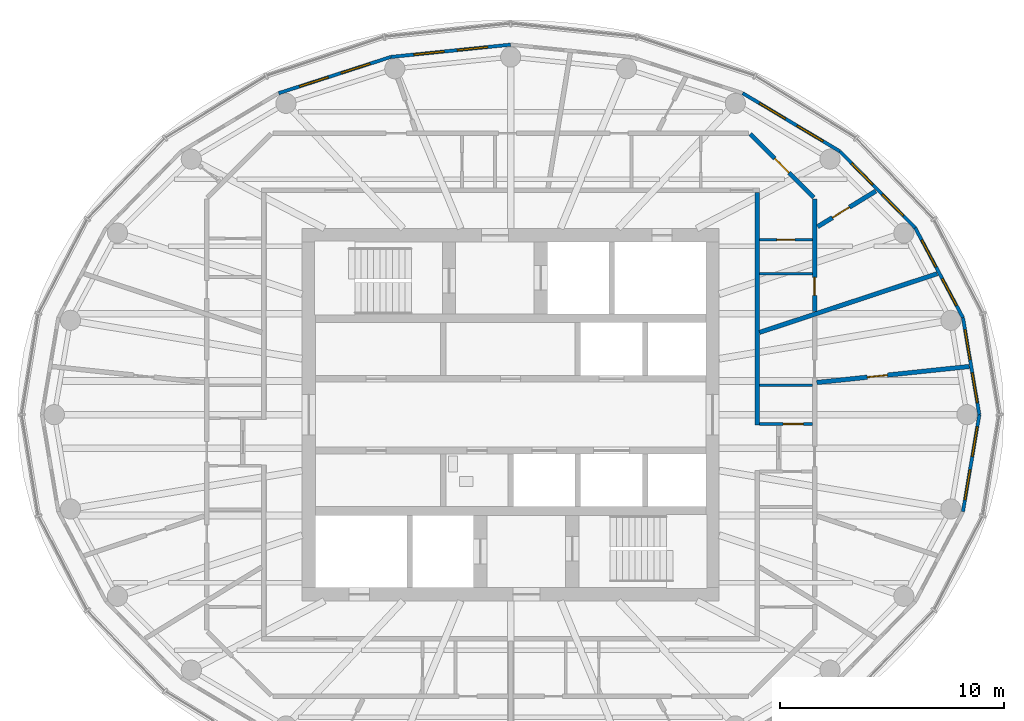
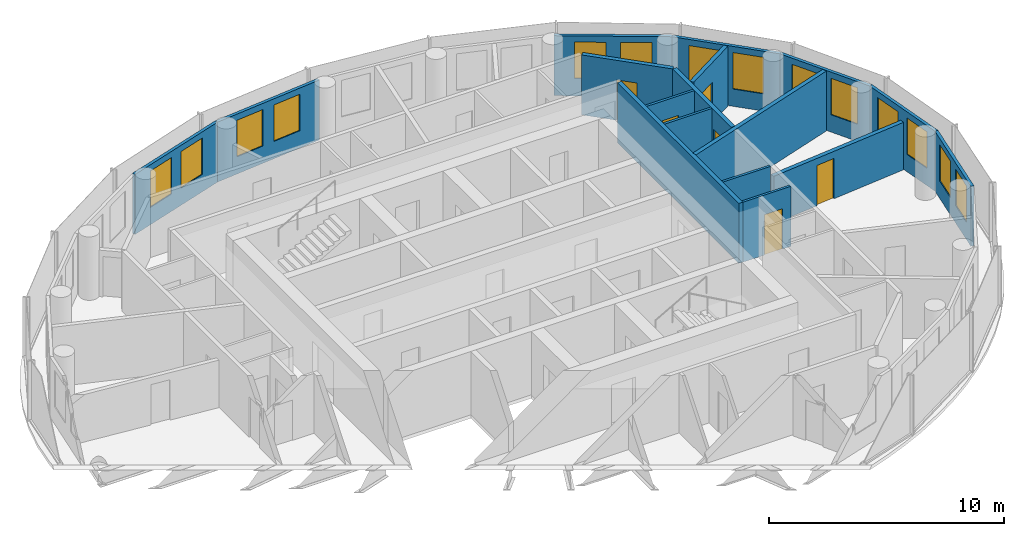
# One storey, part 9 of 12: 17 walls, 14 windows, 6 doors, 20 openings.
"""IFC4 building model written with IfcOpenShell, lengths in metres."""

from ifc_helpers import new_model, si_unit, direction, frame, frame_2d, origin, place, context, subcontext, project, spatial, rectangle, extrude, material, layer, layer_set, type_object, element, fill, save


model = new_model("IFC4")

# Units and contexts
model_context = context("Model", 3, precision=1e-05, world=origin(), true_north=direction((0.0, 1.0)))
body_context = subcontext(model_context, "Body", "Model", "MODEL_VIEW")
ifc_project = project(units=[si_unit("LENGTHUNIT", "METRE"), si_unit("AREAUNIT", "SQUARE_METRE"), si_unit("VOLUMEUNIT", "CUBIC_METRE"), si_unit("PLANEANGLEUNIT", "RADIAN"), si_unit("MASSUNIT", "GRAM", prefix="KILO")], contexts=[model_context])

# Site, building, storey
site_placement = place(None, origin())
site = spatial("IfcSite", under=ifc_project, at=site_placement, CompositionType="ELEMENT")
building_placement = place(site_placement, origin())
building = spatial("IfcBuilding", under=site, at=building_placement, Name="Hankou Lantern Tower", CompositionType="ELEMENT")
storey_placement = place(building_placement, frame((0.0, 0.0, 222.60009765625)))
storey = spatial("IfcBuildingStorey", under=building, at=storey_placement, Name="L60", CompositionType="ELEMENT", Elevation=222.60009765625)

# Wall, openings, windows
ifc_material_1 = material(Name="Aluminium spandrel panel on steel studs", Category="steel")
ifc_layer_1 = layer(ifc_material_1, 0.14990234375)
ifc_layer_set_1 = layer_set([ifc_layer_1], Name="Aluminium spandrel panel on steel studs")
wall_type_1 = type_object("IfcWallType", Name="EW1 INNER SKIN WALL 150", PredefinedType="ELEMENTEDWALL", material=ifc_layer_set_1)
wall_1_placement = place(storey_placement, frame((20.89990234375, 0.0, 0.0), z_axis=(0.0, 0.0, 1.0), x_axis=(-0.166538513568, 0.986034950445, 0.0)))
wall_1 = element("IfcWall", 1, at=wall_1_placement, inside=storey, type_object=wall_type_1, Name="Inner skin R01-R02 L60", PredefinedType="ELEMENTEDWALL", context=body_context, shape_type="SweptSolid", body=[
    extrude(rectangle(XDim=4.384765625, YDim=0.14990234375, at=frame_2d((2.1923828125, 0.0))), origin(), (0.0, 0.0, 1.0), 3.119873046875),
])
opening_1_placement = place(wall_1_placement, frame((0.54248046875, 0.0, 0.89990234375)))
opening_1 = element("IfcOpeningElement", 2, at=opening_1_placement, cuts=wall_1, Name="Opening W4", PredefinedType="OPENING", context=body_context, shape_type="SweptSolid", body=[
    extrude(rectangle(XDim=1.35009765625, YDim=1.89990234375, at=frame_2d((0.675048828125, 0.949951171875))), frame((0.0, 0.0849609375, 0.0), z_axis=(0.0, -1.0, 0.0), x_axis=(1.0, 0.0, 0.0)), (0.0, 0.0, 1.0), 0.169921875),
])
opening_2_placement = place(wall_1_placement, frame((2.492431640625, 0.0, 0.89990234375)))
opening_2 = element("IfcOpeningElement", 3, at=opening_2_placement, cuts=wall_1, Name="Opening W4", PredefinedType="OPENING", context=body_context, shape_type="SweptSolid", body=[
    extrude(rectangle(XDim=1.35009765625, YDim=1.89990234375, at=frame_2d((0.675048828125, 0.949951171875))), frame((0.0, 0.0849609375, 0.0), z_axis=(0.0, -1.0, 0.0), x_axis=(1.0, 0.0, 0.0)), (0.0, 0.0, 1.0), 0.169921875),
])
ifc_material_2 = material(Name="Aluminium framed double glazed window", Category="aluminium")
window_type = type_object("IfcWindowType", Name="W4 SUITE WINDOW 1350X1900", PartitioningType="DOUBLE_PANEL_VERTICAL", PredefinedType="WINDOW", material=ifc_material_2)
window_1_placement = place(opening_1_placement, origin())
window_1 = element("IfcWindow", 4, at=window_1_placement, inside=storey, type_object=window_type, Name="Window R01.1 L60", OverallHeight=1.89990234375, OverallWidth=1.35009765625, PartitioningType="SINGLE_PANEL", PredefinedType="WINDOW", context=body_context, shape_type="SweptSolid", body=[
    extrude(rectangle(XDim=1.35009765625, YDim=1.89990234375, at=frame_2d((0.675048828125, 0.949951171875))), frame((0.0, 0.030029296875, 0.0), z_axis=(0.0, -1.0, 0.0), x_axis=(1.0, 0.0, 0.0)), (0.0, 0.0, 1.0), 0.06005859375),
])
fill(opening_1, window_1)
window_2_placement = place(opening_2_placement, origin())
window_2 = element("IfcWindow", 5, at=window_2_placement, inside=storey, type_object=window_type, Name="Window R01.2 L60", OverallHeight=1.89990234375, OverallWidth=1.35009765625, PartitioningType="SINGLE_PANEL", PredefinedType="WINDOW", context=body_context, shape_type="SweptSolid", body=[
    extrude(rectangle(XDim=1.35009765625, YDim=1.89990234375, at=frame_2d((0.675048828125, 0.949951171875))), frame((0.0, 0.030029296875, 0.0), z_axis=(0.0, -1.0, 0.0), x_axis=(1.0, 0.0, 0.0)), (0.0, 0.0, 1.0), 0.06005859375),
])
fill(opening_2, window_2)

wall_2_placement = place(storey_placement, frame((20.169677734375, 4.323486328125, 0.0), z_axis=(0.0, 0.0, 1.0), x_axis=(-0.469256152955, 0.883062094597, 0.0)))
wall_2 = element("IfcWall", 6, at=wall_2_placement, inside=storey, type_object=wall_type_1, Name="Inner skin R02-R03 L60", PredefinedType="ELEMENTEDWALL", context=body_context, shape_type="SweptSolid", body=[
    extrude(rectangle(XDim=4.539306640625, YDim=0.14990234375, at=frame_2d((2.26953125, 0.0))), origin(), (0.0, 0.0, 1.0), 3.119873046875),
])
opening_3_placement = place(wall_2_placement, frame((0.61962890625, 0.0, 0.89990234375)))
opening_3 = element("IfcOpeningElement", 7, at=opening_3_placement, cuts=wall_2, Name="Opening W4", PredefinedType="OPENING", context=body_context, shape_type="SweptSolid", body=[
    extrude(rectangle(XDim=1.35009765625, YDim=1.89990234375, at=frame_2d((0.675048828125, 0.949951171875))), frame((0.0, 0.0849609375, 0.0), z_axis=(0.0, -1.0, 0.0), x_axis=(1.0, 0.0, 0.0)), (0.0, 0.0, 1.0), 0.169921875),
])
opening_4_placement = place(wall_2_placement, frame((2.569580078125, 0.0, 0.89990234375)))
opening_4 = element("IfcOpeningElement", 8, at=opening_4_placement, cuts=wall_2, Name="Opening W4", PredefinedType="OPENING", context=body_context, shape_type="SweptSolid", body=[
    extrude(rectangle(XDim=1.35009765625, YDim=1.89990234375, at=frame_2d((0.675048828125, 0.949951171875))), frame((0.0, 0.0849609375, 0.0), z_axis=(0.0, -1.0, 0.0), x_axis=(1.0, 0.0, 0.0)), (0.0, 0.0, 1.0), 0.169921875),
])
window_3_placement = place(opening_3_placement, origin())
window_3 = element("IfcWindow", 9, at=window_3_placement, inside=storey, type_object=window_type, Name="Window R02.1 L60", OverallHeight=1.89990234375, OverallWidth=1.35009765625, PartitioningType="SINGLE_PANEL", PredefinedType="WINDOW", context=body_context, shape_type="SweptSolid", body=[
    extrude(rectangle(XDim=1.35009765625, YDim=1.89990234375, at=frame_2d((0.675048828125, 0.949951171875))), frame((0.0, 0.030029296875, 0.0), z_axis=(0.0, -1.0, 0.0), x_axis=(1.0, 0.0, 0.0)), (0.0, 0.0, 1.0), 0.06005859375),
])
fill(opening_3, window_3)
window_4_placement = place(opening_4_placement, origin())
window_4 = element("IfcWindow", 10, at=window_4_placement, inside=storey, type_object=window_type, Name="Window R02.2 L60", OverallHeight=1.89990234375, OverallWidth=1.35009765625, PartitioningType="SINGLE_PANEL", PredefinedType="WINDOW", context=body_context, shape_type="SweptSolid", body=[
    extrude(rectangle(XDim=1.35009765625, YDim=1.89990234375, at=frame_2d((0.675048828125, 0.949951171875))), frame((0.0, 0.030029296875, 0.0), z_axis=(0.0, -1.0, 0.0), x_axis=(1.0, 0.0, 0.0)), (0.0, 0.0, 1.0), 0.06005859375),
])
fill(opening_4, window_4)

wall_3_placement = place(storey_placement, frame((18.03955078125, 8.33203125, 0.0), z_axis=(0.0, 0.0, 1.0), x_axis=(-0.701527379618, 0.712642501993, 0.0)))
wall_3 = element("IfcWall", 11, at=wall_3_placement, inside=storey, type_object=wall_type_1, Name="Inner skin R03-R04 L60", PredefinedType="ELEMENTEDWALL", context=body_context, shape_type="SweptSolid", body=[
    extrude(rectangle(XDim=4.788330078125, YDim=0.14990234375, at=frame_2d((2.39404296875, 0.0))), origin(), (0.0, 0.0, 1.0), 3.119873046875),
])
opening_5_placement = place(wall_3_placement, frame((0.744140625, 0.0, 0.89990234375)))
opening_5 = element("IfcOpeningElement", 12, at=opening_5_placement, cuts=wall_3, Name="Opening W4", PredefinedType="OPENING", context=body_context, shape_type="SweptSolid", body=[
    extrude(rectangle(XDim=1.35009765625, YDim=1.89990234375, at=frame_2d((0.675048828125, 0.949951171875))), frame((0.0, 0.0849609375, 0.0), z_axis=(0.0, -1.0, 0.0), x_axis=(1.0, 0.0, 0.0)), (0.0, 0.0, 1.0), 0.169921875),
])
opening_6_placement = place(wall_3_placement, frame((2.694091796875, 0.0, 0.89990234375)))
opening_6 = element("IfcOpeningElement", 13, at=opening_6_placement, cuts=wall_3, Name="Opening W4", PredefinedType="OPENING", context=body_context, shape_type="SweptSolid", body=[
    extrude(rectangle(XDim=1.35009765625, YDim=1.89990234375, at=frame_2d((0.675048828125, 0.949951171875))), frame((0.0, 0.0849609375, 0.0), z_axis=(0.0, -1.0, 0.0), x_axis=(1.0, 0.0, 0.0)), (0.0, 0.0, 1.0), 0.169921875),
])
window_5_placement = place(opening_5_placement, origin())
window_5 = element("IfcWindow", 14, at=window_5_placement, inside=storey, type_object=window_type, Name="Window R03.1 L60", OverallHeight=1.89990234375, OverallWidth=1.35009765625, PartitioningType="SINGLE_PANEL", PredefinedType="WINDOW", context=body_context, shape_type="SweptSolid", body=[
    extrude(rectangle(XDim=1.35009765625, YDim=1.89990234375, at=frame_2d((0.675048828125, 0.949951171875))), frame((0.0, 0.030029296875, 0.0), z_axis=(0.0, -1.0, 0.0), x_axis=(1.0, 0.0, 0.0)), (0.0, 0.0, 1.0), 0.06005859375),
])
fill(opening_5, window_5)
window_6_placement = place(opening_6_placement, origin())
window_6 = element("IfcWindow", 15, at=window_6_placement, inside=storey, type_object=window_type, Name="Window R03.2 L60", OverallHeight=1.89990234375, OverallWidth=1.35009765625, PartitioningType="SINGLE_PANEL", PredefinedType="WINDOW", context=body_context, shape_type="SweptSolid", body=[
    extrude(rectangle(XDim=1.35009765625, YDim=1.89990234375, at=frame_2d((0.675048828125, 0.949951171875))), frame((0.0, 0.030029296875, 0.0), z_axis=(0.0, -1.0, 0.0), x_axis=(1.0, 0.0, 0.0)), (0.0, 0.0, 1.0), 0.06005859375),
])
fill(opening_6, window_6)

wall_4_placement = place(storey_placement, frame((14.680419921875, 11.744384765625, 0.0), z_axis=(0.0, 0.0, 1.0), x_axis=(-0.85822150553, 0.513279502265, 0.0)))
wall_4 = element("IfcWall", 16, at=wall_4_placement, inside=storey, type_object=wall_type_1, Name="Inner skin R04-R05 L60", PredefinedType="ELEMENTEDWALL", context=body_context, shape_type="SweptSolid", body=[
    extrude(rectangle(XDim=5.050048828125, YDim=0.14990234375, at=frame_2d((2.52490234375, 0.0))), origin(), (0.0, 0.0, 1.0), 3.119873046875),
])
opening_7_placement = place(wall_4_placement, frame((0.875, 0.0, 0.89990234375)))
opening_7 = element("IfcOpeningElement", 17, at=opening_7_placement, cuts=wall_4, Name="Opening W4", PredefinedType="OPENING", context=body_context, shape_type="SweptSolid", body=[
    extrude(rectangle(XDim=1.35009765625, YDim=1.89990234375, at=frame_2d((0.675048828125, 0.949951171875))), frame((0.0, 0.0849609375, 0.0), z_axis=(0.0, -1.0, 0.0), x_axis=(1.0, 0.0, 0.0)), (0.0, 0.0, 1.0), 0.169921875),
])
opening_8_placement = place(wall_4_placement, frame((2.824951171875, 0.0, 0.89990234375)))
opening_8 = element("IfcOpeningElement", 18, at=opening_8_placement, cuts=wall_4, Name="Opening W4", PredefinedType="OPENING", context=body_context, shape_type="SweptSolid", body=[
    extrude(rectangle(XDim=1.35009765625, YDim=1.89990234375, at=frame_2d((0.675048828125, 0.949951171875))), frame((0.0, 0.0849609375, 0.0), z_axis=(0.0, -1.0, 0.0), x_axis=(1.0, 0.0, 0.0)), (0.0, 0.0, 1.0), 0.169921875),
])
window_7_placement = place(opening_7_placement, origin())
window_7 = element("IfcWindow", 19, at=window_7_placement, inside=storey, type_object=window_type, Name="Window R04.1 L60", OverallHeight=1.89990234375, OverallWidth=1.35009765625, PartitioningType="SINGLE_PANEL", PredefinedType="WINDOW", context=body_context, shape_type="SweptSolid", body=[
    extrude(rectangle(XDim=1.35009765625, YDim=1.89990234375, at=frame_2d((0.675048828125, 0.949951171875))), frame((0.0, 0.030029296875, 0.0), z_axis=(0.0, -1.0, 0.0), x_axis=(1.0, 0.0, 0.0)), (0.0, 0.0, 1.0), 0.06005859375),
])
fill(opening_7, window_7)
window_8_placement = place(opening_8_placement, origin())
window_8 = element("IfcWindow", 20, at=window_8_placement, inside=storey, type_object=window_type, Name="Window R04.2 L60", OverallHeight=1.89990234375, OverallWidth=1.35009765625, PartitioningType="SINGLE_PANEL", PredefinedType="WINDOW", context=body_context, shape_type="SweptSolid", body=[
    extrude(rectangle(XDim=1.35009765625, YDim=1.89990234375, at=frame_2d((0.675048828125, 0.949951171875))), frame((0.0, 0.030029296875, 0.0), z_axis=(0.0, -1.0, 0.0), x_axis=(1.0, 0.0, 0.0)), (0.0, 0.0, 1.0), 0.06005859375),
])
fill(opening_8, window_8)

wall_5_placement = place(storey_placement, frame((0.0, 16.5, 0.0), z_axis=(0.0, 0.0, 1.0), x_axis=(-0.994774574972, -0.102095763818, 0.0)))
wall_5 = element("IfcWall", 21, at=wall_5_placement, inside=storey, type_object=wall_type_1, Name="Inner skin R07-R08 L60", PredefinedType="ELEMENTEDWALL", context=body_context, shape_type="SweptSolid", body=[
    extrude(rectangle(XDim=5.370849609375, YDim=0.14990234375, at=frame_2d((2.685546875, 0.0))), origin(), (0.0, 0.0, 1.0), 3.119873046875),
])
opening_9_placement = place(wall_5_placement, frame((1.035400390625, 0.0, 0.89990234375)))
opening_9 = element("IfcOpeningElement", 22, at=opening_9_placement, cuts=wall_5, Name="Opening W4", PredefinedType="OPENING", context=body_context, shape_type="SweptSolid", body=[
    extrude(rectangle(XDim=1.35009765625, YDim=1.89990234375, at=frame_2d((0.675048828125, 0.949951171875))), frame((0.0, 0.0849609375, 0.0), z_axis=(0.0, -1.0, 0.0), x_axis=(1.0, 0.0, 0.0)), (0.0, 0.0, 1.0), 0.169921875),
])
opening_10_placement = place(wall_5_placement, frame((2.9853515625, 0.0, 0.89990234375)))
opening_10 = element("IfcOpeningElement", 23, at=opening_10_placement, cuts=wall_5, Name="Opening W4", PredefinedType="OPENING", context=body_context, shape_type="SweptSolid", body=[
    extrude(rectangle(XDim=1.35009765625, YDim=1.89990234375, at=frame_2d((0.675048828125, 0.949951171875))), frame((0.0, 0.0849609375, 0.0), z_axis=(0.0, -1.0, 0.0), x_axis=(1.0, 0.0, 0.0)), (0.0, 0.0, 1.0), 0.169921875),
])
window_9_placement = place(opening_9_placement, origin())
window_9 = element("IfcWindow", 24, at=window_9_placement, inside=storey, type_object=window_type, Name="Window R07.1 L60", OverallHeight=1.89990234375, OverallWidth=1.35009765625, PartitioningType="SINGLE_PANEL", PredefinedType="WINDOW", context=body_context, shape_type="SweptSolid", body=[
    extrude(rectangle(XDim=1.35009765625, YDim=1.89990234375, at=frame_2d((0.675048828125, 0.949951171875))), frame((0.0, 0.030029296875, 0.0), z_axis=(0.0, -1.0, 0.0), x_axis=(1.0, 0.0, 0.0)), (0.0, 0.0, 1.0), 0.06005859375),
])
fill(opening_9, window_9)
window_10_placement = place(opening_10_placement, origin())
window_10 = element("IfcWindow", 25, at=window_10_placement, inside=storey, type_object=window_type, Name="Window R07.2 L60", OverallHeight=1.89990234375, OverallWidth=1.35009765625, PartitioningType="SINGLE_PANEL", PredefinedType="WINDOW", context=body_context, shape_type="SweptSolid", body=[
    extrude(rectangle(XDim=1.35009765625, YDim=1.89990234375, at=frame_2d((0.675048828125, 0.949951171875))), frame((0.0, 0.030029296875, 0.0), z_axis=(0.0, -1.0, 0.0), x_axis=(1.0, 0.0, 0.0)), (0.0, 0.0, 1.0), 0.06005859375),
])
fill(opening_10, window_10)

wall_6_placement = place(storey_placement, frame((-5.3427734375, 15.95166015625, 0.0), z_axis=(0.0, 0.0, 1.0), x_axis=(-0.951644702515, -0.307200846638, 0.0)))
wall_6 = element("IfcWall", 26, at=wall_6_placement, inside=storey, type_object=wall_type_1, Name="Inner skin R08-R09 L60", PredefinedType="ELEMENTEDWALL", context=body_context, shape_type="SweptSolid", body=[
    extrude(rectangle(XDim=5.2578125, YDim=0.14990234375, at=frame_2d((2.62890625, 0.0))), origin(), (0.0, 0.0, 1.0), 3.119873046875),
])
opening_11_placement = place(wall_6_placement, frame((0.97900390625, 0.0, 0.89990234375)))
opening_11 = element("IfcOpeningElement", 27, at=opening_11_placement, cuts=wall_6, Name="Opening W4", PredefinedType="OPENING", context=body_context, shape_type="SweptSolid", body=[
    extrude(rectangle(XDim=1.35009765625, YDim=1.89990234375, at=frame_2d((0.675048828125, 0.949951171875))), frame((0.0, 0.0849609375, 0.0), z_axis=(0.0, -1.0, 0.0), x_axis=(1.0, 0.0, 0.0)), (0.0, 0.0, 1.0), 0.169921875),
])
opening_12_placement = place(wall_6_placement, frame((2.928955078125, 0.0, 0.89990234375)))
opening_12 = element("IfcOpeningElement", 28, at=opening_12_placement, cuts=wall_6, Name="Opening W4", PredefinedType="OPENING", context=body_context, shape_type="SweptSolid", body=[
    extrude(rectangle(XDim=1.35009765625, YDim=1.89990234375, at=frame_2d((0.675048828125, 0.949951171875))), frame((0.0, 0.0849609375, 0.0), z_axis=(0.0, -1.0, 0.0), x_axis=(1.0, 0.0, 0.0)), (0.0, 0.0, 1.0), 0.169921875),
])
window_11_placement = place(opening_11_placement, origin())
window_11 = element("IfcWindow", 29, at=window_11_placement, inside=storey, type_object=window_type, Name="Window R08.1 L60", OverallHeight=1.89990234375, OverallWidth=1.35009765625, PartitioningType="SINGLE_PANEL", PredefinedType="WINDOW", context=body_context, shape_type="SweptSolid", body=[
    extrude(rectangle(XDim=1.35009765625, YDim=1.89990234375, at=frame_2d((0.675048828125, 0.949951171875))), frame((0.0, 0.030029296875, 0.0), z_axis=(0.0, -1.0, 0.0), x_axis=(1.0, 0.0, 0.0)), (0.0, 0.0, 1.0), 0.06005859375),
])
fill(opening_11, window_11)
window_12_placement = place(opening_12_placement, origin())
window_12 = element("IfcWindow", 30, at=window_12_placement, inside=storey, type_object=window_type, Name="Window R08.2 L60", OverallHeight=1.89990234375, OverallWidth=1.35009765625, PartitioningType="SINGLE_PANEL", PredefinedType="WINDOW", context=body_context, shape_type="SweptSolid", body=[
    extrude(rectangle(XDim=1.35009765625, YDim=1.89990234375, at=frame_2d((0.675048828125, 0.949951171875))), frame((0.0, 0.030029296875, 0.0), z_axis=(0.0, -1.0, 0.0), x_axis=(1.0, 0.0, 0.0)), (0.0, 0.0, 1.0), 0.06005859375),
])
fill(opening_12, window_12)

wall_7_placement = place(storey_placement, frame((20.169677734375, -4.323486328125, 0.0), z_axis=(0.0, 0.0, 1.0), x_axis=(0.166538513568, 0.986034950445, 0.0)))
wall_7 = element("IfcWall", 31, at=wall_7_placement, inside=storey, type_object=wall_type_1, Name="Inner skin R24-R01 L60", PredefinedType="ELEMENTEDWALL", context=body_context, shape_type="SweptSolid", body=[
    extrude(rectangle(XDim=4.384765625, YDim=0.14990234375, at=frame_2d((2.1923828125, 0.0))), origin(), (0.0, 0.0, 1.0), 3.119873046875),
])
opening_13_placement = place(wall_7_placement, frame((0.54248046875, 0.0, 0.89990234375)))
opening_13 = element("IfcOpeningElement", 32, at=opening_13_placement, cuts=wall_7, Name="Opening W4", PredefinedType="OPENING", context=body_context, shape_type="SweptSolid", body=[
    extrude(rectangle(XDim=1.35009765625, YDim=1.89990234375, at=frame_2d((0.675048828125, 0.949951171875))), frame((0.0, 0.0849609375, 0.0), z_axis=(0.0, -1.0, 0.0), x_axis=(1.0, 0.0, 0.0)), (0.0, 0.0, 1.0), 0.169921875),
])
opening_14_placement = place(wall_7_placement, frame((2.492431640625, 0.0, 0.89990234375)))
opening_14 = element("IfcOpeningElement", 33, at=opening_14_placement, cuts=wall_7, Name="Opening W4", PredefinedType="OPENING", context=body_context, shape_type="SweptSolid", body=[
    extrude(rectangle(XDim=1.35009765625, YDim=1.89990234375, at=frame_2d((0.675048828125, 0.949951171875))), frame((0.0, 0.0849609375, 0.0), z_axis=(0.0, -1.0, 0.0), x_axis=(1.0, 0.0, 0.0)), (0.0, 0.0, 1.0), 0.169921875),
])
window_13_placement = place(opening_13_placement, origin())
window_13 = element("IfcWindow", 34, at=window_13_placement, inside=storey, type_object=window_type, Name="Window R24.1 L60", OverallHeight=1.89990234375, OverallWidth=1.35009765625, PartitioningType="SINGLE_PANEL", PredefinedType="WINDOW", context=body_context, shape_type="SweptSolid", body=[
    extrude(rectangle(XDim=1.35009765625, YDim=1.89990234375, at=frame_2d((0.675048828125, 0.949951171875))), frame((0.0, 0.030029296875, 0.0), z_axis=(0.0, -1.0, 0.0), x_axis=(1.0, 0.0, 0.0)), (0.0, 0.0, 1.0), 0.06005859375),
])
fill(opening_13, window_13)
window_14_placement = place(opening_14_placement, origin())
window_14 = element("IfcWindow", 35, at=window_14_placement, inside=storey, type_object=window_type, Name="Window R24.2 L60", OverallHeight=1.89990234375, OverallWidth=1.35009765625, PartitioningType="SINGLE_PANEL", PredefinedType="WINDOW", context=body_context, shape_type="SweptSolid", body=[
    extrude(rectangle(XDim=1.35009765625, YDim=1.89990234375, at=frame_2d((0.675048828125, 0.949951171875))), frame((0.0, 0.030029296875, 0.0), z_axis=(0.0, -1.0, 0.0), x_axis=(1.0, 0.0, 0.0)), (0.0, 0.0, 1.0), 0.06005859375),
])
fill(opening_14, window_14)

# Walls
ifc_material_3 = material(Name="Masonry lightweight concrete block", Category="masonry")
ifc_layer_2 = layer(ifc_material_3, 0.199951171875)
ifc_layer_set_2 = layer_set([ifc_layer_2], Name="Masonry lightweight concrete block")
wall_type_2 = type_object("IfcWallType", Name="IW1 GUEST ROOM PARTY WALL 200", PredefinedType="PARTITIONING", material=ifc_layer_set_2)
wall_8_placement = place(storey_placement, frame((11.10009765625, 3.668701171875, 0.0), z_axis=(0.0, 0.0, 1.0), x_axis=(0.949476668397, 0.313837627079, 0.0)))
element("IfcWall", 36, at=wall_8_placement, inside=storey, type_object=wall_type_2, Name="Party wall R02-R03", PredefinedType="PARTITIONING", context=body_context, shape_type="SweptSolid", body=[
    extrude(rectangle(XDim=8.338623046875, YDim=0.199951171875, at=frame_2d((4.16943359375, 0.0))), origin(), (0.0, 0.0, 1.0), 3.119873046875),
])
ifc_material_4 = material(Name="Masonry lightweight concrete block", Category="masonry")
ifc_layer_3 = layer(ifc_material_4, 0.199951171875)
ifc_layer_set_3 = layer_set([ifc_layer_3], Name="Masonry lightweight concrete block")
wall_type_3 = type_object("IfcWallType", Name="IW2 CORRIDOR WALL 200", PredefinedType="PARTITIONING", material=ifc_layer_set_3)
wall_9_placement = place(storey_placement, frame((11.0, -0.46435546875, 0.0), z_axis=(0.0, 0.0, 1.0), x_axis=(0.0, 1.0, 0.0)))
element("IfcWall", 37, at=wall_9_placement, inside=storey, type_object=wall_type_3, Name="Corridor wall east", PredefinedType="PARTITIONING", context=body_context, shape_type="SweptSolid", body=[
    extrude(rectangle(XDim=10.3642578125, YDim=0.199951171875, at=frame_2d((5.18212890625, 0.0))), origin(), (0.0, 0.0, 1.0), 3.119873046875),
])
ifc_material_5 = material(Name="Masonry lightweight concrete block", Category="masonry")
ifc_layer_4 = layer(ifc_material_5, 0.1201171875)
ifc_layer_set_4 = layer_set([ifc_layer_4], Name="Masonry lightweight concrete block")
wall_type_4 = type_object("IfcWallType", Name="IW3 BATHROOM WALL 120", PredefinedType="PARTITIONING", material=ifc_layer_set_4)
wall_10_placement = place(storey_placement, frame((11.10009765625, 6.28369140625, 0.0), z_axis=(0.0, 0.0, 1.0), x_axis=(1.0, 0.0, 0.0)))
element("IfcWall", 38, at=wall_10_placement, inside=storey, type_object=wall_type_4, Name="Box wall 6001 1", PredefinedType="PARTITIONING", context=body_context, shape_type="SweptSolid", body=[
    extrude(rectangle(XDim=2.349853515625, YDim=0.1201171875, at=frame_2d((1.1748046875, 0.0))), origin(), (0.0, 0.0, 1.0), 3.119873046875),
])

# Wall, opening, door
wall_11_placement = place(storey_placement, frame((11.10009765625, 7.80517578125, 0.0), z_axis=(0.0, 0.0, 1.0), x_axis=(1.0, 0.0, 0.0)))
wall_11 = element("IfcWall", 39, at=wall_11_placement, inside=storey, type_object=wall_type_4, Name="Box wall 6001 2", PredefinedType="PARTITIONING", context=body_context, shape_type="SweptSolid", body=[
    extrude(rectangle(XDim=2.349853515625, YDim=0.1201171875, at=frame_2d((1.1748046875, 0.0))), origin(), (0.0, 0.0, 1.0), 3.119873046875),
])
opening_15_placement = place(wall_11_placement, frame((0.77001953125, 0.0, 0.0)))
opening_15 = element("IfcOpeningElement", 40, at=opening_15_placement, cuts=wall_11, Name="Opening D3", PredefinedType="OPENING", context=body_context, shape_type="SweptSolid", body=[
    extrude(rectangle(XDim=0.800048828125, YDim=2.10009765625, at=frame_2d((0.39990234375, 1.050048828125))), frame((0.0, 0.070068359375, 0.0), z_axis=(0.0, -1.0, 0.0), x_axis=(1.0, 0.0, 0.0)), (0.0, 0.0, 1.0), 0.14013671875),
])
ifc_material_6 = material(Name="Timber door leaf", Category="wood")
door_type_1 = type_object("IfcDoorType", Name="D3 BATHROOM DOOR 800X2100", OperationType="SINGLE_SWING_LEFT", PredefinedType="DOOR", material=ifc_material_6)
door_1_placement = place(opening_15_placement, origin())
door_1 = element("IfcDoor", 41, at=door_1_placement, inside=storey, type_object=door_type_1, Name="Family suite 6001 guest WC door", OperationType="SINGLE_SWING_LEFT", OverallHeight=2.10009765625, OverallWidth=0.800048828125, PredefinedType="DOOR", context=body_context, shape_type="SweptSolid", body=[
    extrude(rectangle(XDim=0.800048828125, YDim=2.10009765625, at=frame_2d((0.39990234375, 1.050048828125))), frame((0.0, 0.02490234375, 0.0), z_axis=(0.0, -1.0, 0.0), x_axis=(1.0, 0.0, 0.0)), (0.0, 0.0, 1.0), 0.050048828125),
])
fill(opening_15, door_1)

wall_12_placement = place(storey_placement, frame((11.10009765625, -0.414306640625, 0.0), z_axis=(0.0, 0.0, 1.0), x_axis=(1.0, 0.0, 0.0)))
wall_12 = element("IfcWall", 42, at=wall_12_placement, inside=storey, type_object=wall_type_4, Name="Box wall 6006 3", PredefinedType="PARTITIONING", context=body_context, shape_type="SweptSolid", body=[
    extrude(rectangle(XDim=2.349853515625, YDim=0.1201171875, at=frame_2d((1.1748046875, 0.0))), origin(), (0.0, 0.0, 1.0), 3.119873046875),
])
opening_16_placement = place(wall_12_placement, frame((1.050048828125, 0.0, 0.0)))
opening_16 = element("IfcOpeningElement", 43, at=opening_16_placement, cuts=wall_12, Name="Opening D27", PredefinedType="OPENING", context=body_context, shape_type="SweptSolid", body=[
    extrude(rectangle(XDim=0.89990234375, YDim=2.10009765625, at=frame_2d((0.449951171875, 1.050048828125))), frame((0.0, 0.070068359375, 0.0), z_axis=(0.0, -1.0, 0.0), x_axis=(1.0, 0.0, 0.0)), (0.0, 0.0, 1.0), 0.14013671875),
])
ifc_material_7 = material(Name="Timber door leaf", Category="wood")
door_type_2 = type_object("IfcDoorType", Name="D27 INTERNAL DOOR 900X2100", OperationType="SINGLE_SWING_LEFT", PredefinedType="DOOR", material=ifc_material_7)
door_2_placement = place(opening_16_placement, origin())
door_2 = element("IfcDoor", 44, at=door_2_placement, inside=storey, type_object=door_type_2, Name="Family suite 6006 walk-in wardrobe door", OperationType="SINGLE_SWING_RIGHT", OverallHeight=2.10009765625, OverallWidth=0.89990234375, PredefinedType="DOOR", context=body_context, shape_type="SweptSolid", body=[
    extrude(rectangle(XDim=0.89990234375, YDim=2.10009765625, at=frame_2d((0.449951171875, 1.050048828125))), frame((0.0, 0.02490234375, 0.0), z_axis=(0.0, -1.0, 0.0), x_axis=(1.0, 0.0, 0.0)), (0.0, 0.0, 1.0), 0.050048828125),
])
fill(opening_16, door_2)

# Wall
wall_13_placement = place(storey_placement, frame((11.10009765625, 1.3056640625, 0.0), z_axis=(0.0, 0.0, 1.0), x_axis=(1.0, 0.0, 0.0)))
element("IfcWall", 45, at=wall_13_placement, inside=storey, type_object=wall_type_4, Name="Box wall 6006 4", PredefinedType="PARTITIONING", context=body_context, shape_type="SweptSolid", body=[
    extrude(rectangle(XDim=2.349853515625, YDim=0.1201171875, at=frame_2d((1.1748046875, 0.0))), origin(), (0.0, 0.0, 1.0), 3.119873046875),
])

# Wall, opening, door
ifc_material_8 = material(Name="Masonry lightweight concrete block", Category="masonry")
ifc_layer_5 = layer(ifc_material_8, 0.199951171875)
ifc_layer_set_5 = layer_set([ifc_layer_5], Name="Masonry lightweight concrete block")
wall_type_5 = type_object("IfcWallType", Name="IW6 SUITE PARTITION 200", PredefinedType="PARTITIONING", material=ifc_layer_set_5)
wall_14_placement = place(storey_placement, frame((13.550048828125, 4.599853515625, 0.0), z_axis=(0.0, 0.0, 1.0), x_axis=(0.0, 1.0, 0.0)))
wall_14 = element("IfcWall", 46, at=wall_14_placement, inside=storey, type_object=wall_type_5, Name="Suite foyer wall 6001", PredefinedType="PARTITIONING", context=body_context, shape_type="SweptSolid", body=[
    extrude(rectangle(XDim=5.0087890625, YDim=0.199951171875, at=frame_2d((2.50439453125, 0.0))), origin(), (0.0, 0.0, 1.0), 3.119873046875),
])
opening_17_placement = place(wall_14_placement, frame((0.7236328125, 0.0, 0.0)))
opening_17 = element("IfcOpeningElement", 47, at=opening_17_placement, cuts=wall_14, Name="Opening D3", PredefinedType="OPENING", context=body_context, shape_type="SweptSolid", body=[
    extrude(rectangle(XDim=0.800048828125, YDim=2.10009765625, at=frame_2d((0.39990234375, 1.050048828125))), frame((0.0, 0.10986328125, 0.0), z_axis=(0.0, -1.0, 0.0), x_axis=(1.0, 0.0, 0.0)), (0.0, 0.0, 1.0), 0.219970703125),
])
door_3_placement = place(opening_17_placement, origin())
door_3 = element("IfcDoor", 48, at=door_3_placement, inside=storey, type_object=door_type_1, Name="Family suite 6001 bathroom door", OperationType="SINGLE_SWING_RIGHT", OverallHeight=2.10009765625, OverallWidth=0.800048828125, PredefinedType="DOOR", context=body_context, shape_type="SweptSolid", body=[
    extrude(rectangle(XDim=0.800048828125, YDim=2.10009765625, at=frame_2d((0.39990234375, 1.050048828125))), frame((0.0, 0.02490234375, 0.0), z_axis=(0.0, -1.0, 0.0), x_axis=(1.0, 0.0, 0.0)), (0.0, 0.0, 1.0), 0.050048828125),
])
fill(opening_17, door_3)

wall_15_placement = place(storey_placement, frame((13.520751953125, 9.67919921875, 0.0), z_axis=(0.0, 0.0, 1.0), x_axis=(-0.707106781187, 0.707106781187, 0.0)))
wall_15 = element("IfcWall", 49, at=wall_15_placement, inside=storey, type_object=wall_type_5, Name="Suite foyer wall 6001", PredefinedType="PARTITIONING", context=body_context, shape_type="SweptSolid", body=[
    extrude(rectangle(XDim=4.0185546875, YDim=0.199951171875, at=frame_2d((2.00927734375, 0.0))), origin(), (0.0, 0.0, 1.0), 3.119873046875),
])
opening_18_placement = place(wall_15_placement, frame((1.570068359375, 0.0, 0.0)))
opening_18 = element("IfcOpeningElement", 50, at=opening_18_placement, cuts=wall_15, Name="Opening D27", PredefinedType="OPENING", context=body_context, shape_type="SweptSolid", body=[
    extrude(rectangle(XDim=0.89990234375, YDim=2.10009765625, at=frame_2d((0.449951171875, 1.050048828125))), frame((0.0, 0.10986328125, 0.0), z_axis=(0.0, -1.0, 0.0), x_axis=(1.0, 0.0, 0.0)), (0.0, 0.0, 1.0), 0.219970703125),
])
door_4_placement = place(opening_18_placement, origin())
door_4 = element("IfcDoor", 51, at=door_4_placement, inside=storey, type_object=door_type_2, Name="Family suite 6001 living room door", OperationType="SINGLE_SWING_RIGHT", OverallHeight=2.10009765625, OverallWidth=0.89990234375, PredefinedType="DOOR", context=body_context, shape_type="SweptSolid", body=[
    extrude(rectangle(XDim=0.89990234375, YDim=2.10009765625, at=frame_2d((0.449951171875, 1.050048828125))), frame((0.0, 0.02490234375, 0.0), z_axis=(0.0, -1.0, 0.0), x_axis=(1.0, 0.0, 0.0)), (0.0, 0.0, 1.0), 0.050048828125),
])
fill(opening_18, door_4)

wall_16_placement = place(storey_placement, frame((13.6884765625, 8.38232421875, 0.0), z_axis=(0.0, 0.0, 1.0), x_axis=(0.852783459586, 0.522264656144, 0.0)))
wall_16 = element("IfcWall", 52, at=wall_16_placement, inside=storey, type_object=wall_type_5, Name="Suite partition R03-R04", PredefinedType="PARTITIONING", context=body_context, shape_type="SweptSolid", body=[
    extrude(rectangle(XDim=3.041748046875, YDim=0.199951171875, at=frame_2d((1.52099609375, 0.0))), origin(), (0.0, 0.0, 1.0), 3.119873046875),
])
opening_19_placement = place(wall_16_placement, frame((0.77001953125, 0.0, 0.0)))
opening_19 = element("IfcOpeningElement", 53, at=opening_19_placement, cuts=wall_16, Name="Opening D27", PredefinedType="OPENING", context=body_context, shape_type="SweptSolid", body=[
    extrude(rectangle(XDim=0.89990234375, YDim=2.10009765625, at=frame_2d((0.449951171875, 1.050048828125))), frame((0.0, 0.10986328125, 0.0), z_axis=(0.0, -1.0, 0.0), x_axis=(1.0, 0.0, 0.0)), (0.0, 0.0, 1.0), 0.219970703125),
])
door_5_placement = place(opening_19_placement, origin())
door_5 = element("IfcDoor", 54, at=door_5_placement, inside=storey, type_object=door_type_2, Name="Family suite 6001 bedroom door", OperationType="SINGLE_SWING_LEFT", OverallHeight=2.10009765625, OverallWidth=0.89990234375, PredefinedType="DOOR", context=body_context, shape_type="SweptSolid", body=[
    extrude(rectangle(XDim=0.89990234375, YDim=2.10009765625, at=frame_2d((0.449951171875, 1.050048828125))), frame((0.0, 0.02490234375, 0.0), z_axis=(0.0, -1.0, 0.0), x_axis=(1.0, 0.0, 0.0)), (0.0, 0.0, 1.0), 0.050048828125),
])
fill(opening_19, door_5)

wall_17_placement = place(storey_placement, frame((13.64990234375, 1.433837890625, 0.0), z_axis=(0.0, 0.0, 1.0), x_axis=(0.994526954268, 0.10448031984, 0.0)))
wall_17 = element("IfcWall", 55, at=wall_17_placement, inside=storey, type_object=wall_type_5, Name="Suite partition R01-R02", PredefinedType="PARTITIONING", context=body_context, shape_type="SweptSolid", body=[
    extrude(rectangle(XDim=6.837158203125, YDim=0.199951171875, at=frame_2d((3.41845703125, 0.0))), origin(), (0.0, 0.0, 1.0), 2.469970703125),
])
opening_20_placement = place(wall_17_placement, frame((2.27001953125, 0.0, 0.0)))
opening_20 = element("IfcOpeningElement", 56, at=opening_20_placement, cuts=wall_17, Name="Opening D27", PredefinedType="OPENING", context=body_context, shape_type="SweptSolid", body=[
    extrude(rectangle(XDim=0.89990234375, YDim=2.10009765625, at=frame_2d((0.449951171875, 1.050048828125))), frame((0.0, 0.10986328125, 0.0), z_axis=(0.0, -1.0, 0.0), x_axis=(1.0, 0.0, 0.0)), (0.0, 0.0, 1.0), 0.219970703125),
])
door_6_placement = place(opening_20_placement, origin())
door_6 = element("IfcDoor", 57, at=door_6_placement, inside=storey, type_object=door_type_2, Name="Family suite 6006 second bedroom door", OperationType="SINGLE_SWING_LEFT", OverallHeight=2.10009765625, OverallWidth=0.89990234375, PredefinedType="DOOR", context=body_context, shape_type="SweptSolid", body=[
    extrude(rectangle(XDim=0.89990234375, YDim=2.10009765625, at=frame_2d((0.449951171875, 1.050048828125))), frame((0.0, 0.02490234375, 0.0), z_axis=(0.0, -1.0, 0.0), x_axis=(1.0, 0.0, 0.0)), (0.0, 0.0, 1.0), 0.050048828125),
])
fill(opening_20, door_6)

save(model, "model.ifc")
